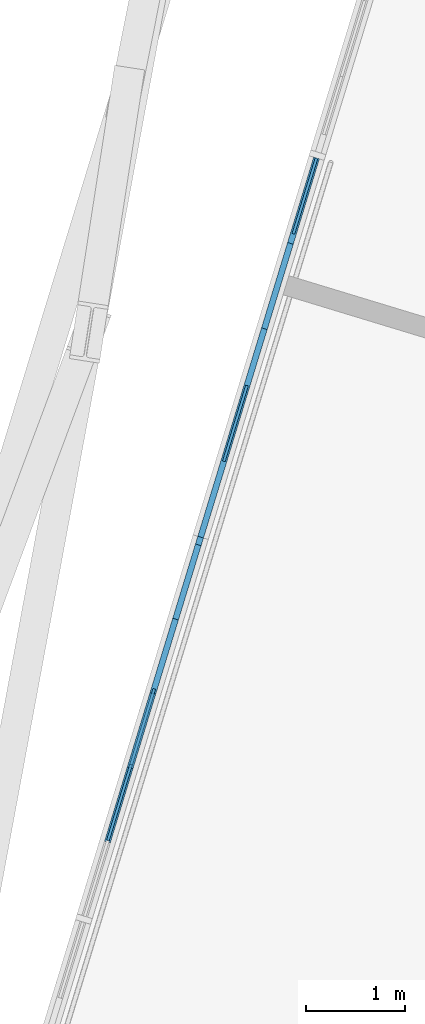
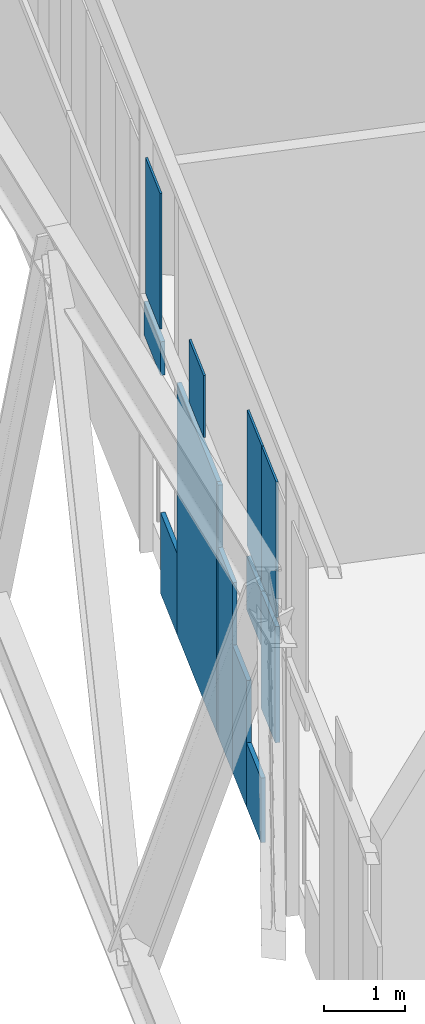
# One storey, part 11 of 25: 13 plates, 1 element without a shape of its own.
"""IFC4 building model written with IfcOpenShell, lengths in metres."""

from ifc_helpers import new_model, si_unit, direction, frame, origin, origin_2d, place, context, subcontext, project, spatial, rectangle, extrude, material, layer, layer_set, type_object, element, aggregate, save


model = new_model("IFC4")

# Units and contexts
model_context = context("Model", 3, precision=1e-05, world=origin(), true_north=direction((0.0, 1.0)))
body_context = subcontext(model_context, "Body", "Model", "MODEL_VIEW")
ifc_project = project(units=[si_unit("LENGTHUNIT", "METRE"), si_unit("AREAUNIT", "SQUARE_METRE"), si_unit("VOLUMEUNIT", "CUBIC_METRE"), si_unit("PLANEANGLEUNIT", "RADIAN"), si_unit("MASSUNIT", "GRAM", prefix="KILO")], contexts=[model_context])

# Site, building, storey
site_placement = place(None, origin())
site = spatial("IfcSite", under=ifc_project, at=site_placement, CompositionType="ELEMENT")
building_placement = place(site_placement, origin())
building = spatial("IfcBuilding", under=site, at=building_placement, Name="Spindle Arch Residences", CompositionType="ELEMENT")
storey_placement = place(building_placement, frame((0.0, 0.0, 144.89990234375)))
storey = spatial("IfcBuildingStorey", under=building, at=storey_placement, Name="L36", CompositionType="ELEMENT", Elevation=144.89990234375)

# Curtain wall, plates
ifc_material_1 = material(Name="Aluminium bronze unitised frame with tinted glass", Category="aluminium")
ifc_layer_1 = layer(ifc_material_1, 0.159912109375)
ifc_layer_set_1 = layer_set([ifc_layer_1], Name="CW-E double-height winter garden wall")
curtain_wall_type = type_object("IfcCurtainWallType", Name="CW-E double-height winter garden wall", PredefinedType="NOTDEFINED", material=ifc_layer_set_1)
curtain_wall_placement = place(storey_placement, origin())
curtain_wall = element("IfcCurtainWall", 1, at=curtain_wall_placement, inside=storey, type_object=curtain_wall_type, Name="CW-E L36 run 4", PredefinedType="NOTDEFINED")
ifc_material_2 = material(Name="Tinted laminated glass 28 mm", Category="glass")
ifc_layer_2 = layer(ifc_material_2, 0.028076171875)
ifc_layer_set_2 = layer_set([ifc_layer_2], Name="Tinted glass panel 28 mm")
plate_type_1 = type_object("IfcPlateType", Name="Tinted glass panel 28 mm", PredefinedType="CURTAIN_PANEL", material=ifc_layer_set_2)
plate_1_placement = place(storey_placement, frame((-17.8759765625, 6.41650390625, 3.460205078125), z_axis=(0.0, 0.0, 1.0), x_axis=(-0.292371704723, -0.956304755963, 0.0)))
plate_1 = element("IfcPlate", 2, at=plate_1_placement, type_object=plate_type_1, Name="CW-E panel 14Ab.1", PredefinedType="CURTAIN_PANEL", context=body_context, shape_type="SweptSolid", body=[
    extrude(rectangle(XDim=0.796875, YDim=0.028076171875, at=origin_2d()), origin(), (0.0, 0.0, 1.0), 2.0458984375),
])
plate_2_placement = place(storey_placement, frame((-18.574951171875, 4.13037109375, 3.4599609375), z_axis=(0.0, 0.0, 1.0), x_axis=(-0.292371704723, -0.956304755963, 0.0)))
plate_2 = element("IfcPlate", 3, at=plate_2_placement, type_object=plate_type_1, Name="CW-E panel 14Ab.2", PredefinedType="CURTAIN_PANEL", context=body_context, shape_type="SweptSolid", body=[
    extrude(rectangle(XDim=0.796875, YDim=0.028076171875, at=origin_2d()), origin(), (0.0, 0.0, 1.0), 0.935302734375),
])
plate_3_placement = place(storey_placement, frame((-19.5068359375, 1.081787109375, 3.460205078125), z_axis=(0.0, 0.0, 1.0), x_axis=(-0.292371704723, -0.956304755963, 0.0)))
plate_3 = element("IfcPlate", 4, at=plate_3_placement, type_object=plate_type_1, Name="CW-E panel 14Bb.1", PredefinedType="CURTAIN_PANEL", context=body_context, shape_type="SweptSolid", body=[
    extrude(rectangle(XDim=0.796875, YDim=0.028076171875, at=origin_2d()), origin(), (0.0, 0.0, 1.0), 2.0458984375),
])
plate_4_placement = place(storey_placement, frame((-19.739990234375, 0.31982421875, 3.460205078125), z_axis=(0.0, 0.0, 1.0), x_axis=(-0.292371704723, -0.956304755963, 0.0)))
plate_4 = element("IfcPlate", 5, at=plate_4_placement, type_object=plate_type_1, Name="CW-E panel 14Bb.2", PredefinedType="CURTAIN_PANEL", context=body_context, shape_type="SweptSolid", body=[
    extrude(rectangle(XDim=0.796875, YDim=0.028076171875, at=origin_2d()), origin(), (0.0, 0.0, 1.0), 2.0458984375),
])
ifc_material_3 = material(Name="Tinted double glazing over aluminium faced non-combustible spandrel zone (K0)", Category="aluminium")
ifc_layer_3 = layer(ifc_material_3, 0.06005859375)
ifc_layer_set_3 = layer_set([ifc_layer_3], Name="Unitised glass panel with E 60 spandrel zone")
plate_type_2 = type_object("IfcPlateType", Name="Unitised glass panel with E 60 spandrel zone", PredefinedType="CURTAIN_PANEL", material=ifc_layer_set_3)
plate_5_placement = place(storey_placement, frame((-17.890625, 6.36865234375, 2.832763671875), z_axis=(0.0, 0.0, 1.0), x_axis=(-0.292371704723, -0.956304755963, 0.0)))
plate_5 = element("IfcPlate", 6, at=plate_5_placement, type_object=plate_type_2, Name="CW-E panel 14Aa.1", PredefinedType="CURTAIN_PANEL", context=body_context, shape_type="SweptSolid", body=[
    extrude(rectangle(XDim=0.897216796875, YDim=0.06005859375, at=origin_2d()), origin(), (0.0, 0.0, 1.0), 0.50732421875),
])
plate_6_placement = place(storey_placement, frame((-18.15283203125, 5.5107421875, -0.44970703125), z_axis=(0.0, 0.0, 1.0), x_axis=(-0.292371704723, -0.956304755963, 0.0)))
plate_6 = element("IfcPlate", 7, at=plate_6_placement, type_object=plate_type_2, Name="CW-E panel 14Aa.2", PredefinedType="CURTAIN_PANEL", context=body_context, shape_type="SweptSolid", body=[
    extrude(rectangle(XDim=0.897216796875, YDim=0.06005859375, at=origin_2d()), origin(), (0.0, 0.0, 1.0), 1.218505859375),
])
plate_7_placement = place(storey_placement, frame((-18.604248046875, 4.034423828125, -0.449951171875), z_axis=(0.0, 0.0, 1.0), x_axis=(-0.292371704723, -0.956304755963, 0.0)))
plate_7 = element("IfcPlate", 8, at=plate_7_placement, type_object=plate_type_2, Name="CW-E panel 14Aa.3", PredefinedType="CURTAIN_PANEL", context=body_context, shape_type="SweptSolid", body=[
    extrude(rectangle(XDim=2.190185546875, YDim=0.06005859375, at=origin_2d()), origin(), (0.0, 0.0, 1.0), 3.7900390625),
])
plate_8_placement = place(storey_placement, frame((-18.936279296875, 2.948486328125, -0.449951171875), z_axis=(0.0, 0.0, 1.0), x_axis=(-0.292371704723, -0.956304755963, 0.0)))
plate_8 = element("IfcPlate", 9, at=plate_8_placement, type_object=plate_type_2, Name="CW-E panel 14Ba.1", PredefinedType="CURTAIN_PANEL", context=body_context, shape_type="SweptSolid", body=[
    extrude(rectangle(XDim=0.080810546875, YDim=0.06005859375, at=origin_2d()), origin(), (0.0, 0.0, 1.0), 3.7900390625),
])
plate_9_placement = place(storey_placement, frame((-19.062255859375, 2.536376953125, -0.449951171875), z_axis=(0.0, 0.0, 1.0), x_axis=(-0.292371704723, -0.956304755963, 0.0)))
plate_9 = element("IfcPlate", 10, at=plate_9_placement, type_object=plate_type_2, Name="CW-E panel 14Ba.2", PredefinedType="CURTAIN_PANEL", context=body_context, shape_type="SweptSolid", body=[
    extrude(rectangle(XDim=0.78076171875, YDim=0.06005859375, at=origin_2d()), origin(), (0.0, 0.0, 1.0), 2.8515625),
])
plate_10_placement = place(storey_placement, frame((-19.29052734375, 1.789794921875, -0.449951171875), z_axis=(0.0, 0.0, 1.0), x_axis=(-0.292371704723, -0.956304755963, 0.0)))
plate_10 = element("IfcPlate", 11, at=plate_10_placement, type_object=plate_type_2, Name="CW-E panel 14Ba.3", PredefinedType="CURTAIN_PANEL", context=body_context, shape_type="SweptSolid", body=[
    extrude(rectangle(XDim=0.78076171875, YDim=0.06005859375, at=origin_2d()), origin(), (0.0, 0.0, 1.0), 1.9130859375),
])
plate_11_placement = place(storey_placement, frame((-19.518798828125, 1.043212890625, -0.44970703125), z_axis=(0.0, 0.0, 1.0), x_axis=(-0.292371704723, -0.956304755963, 0.0)))
plate_11 = element("IfcPlate", 12, at=plate_11_placement, type_object=plate_type_2, Name="CW-E panel 14Ba.4", PredefinedType="CURTAIN_PANEL", context=body_context, shape_type="SweptSolid", body=[
    extrude(rectangle(XDim=0.78076171875, YDim=0.06005859375, at=origin_2d()), origin(), (0.0, 0.0, 1.0), 0.974365234375),
])
plate_12_placement = place(storey_placement, frame((-19.518798828125, 1.043212890625, 2.5263671875), z_axis=(0.0, 0.0, 1.0), x_axis=(-0.292371704723, -0.956304755963, 0.0)))
plate_12 = element("IfcPlate", 13, at=plate_12_placement, type_object=plate_type_2, Name="CW-E panel 14Ba.5", PredefinedType="CURTAIN_PANEL", context=body_context, shape_type="SweptSolid", body=[
    extrude(rectangle(XDim=0.78076171875, YDim=0.06005859375, at=origin_2d()), origin(), (0.0, 0.0, 1.0), 0.813720703125),
])
plate_13_placement = place(storey_placement, frame((-19.7470703125, 0.296630859375, 1.587890625), z_axis=(0.0, 0.0, 1.0), x_axis=(-0.292371704723, -0.956304755963, 0.0)))
plate_13 = element("IfcPlate", 14, at=plate_13_placement, type_object=plate_type_2, Name="CW-E panel 14Ba.6", PredefinedType="CURTAIN_PANEL", context=body_context, shape_type="SweptSolid", body=[
    extrude(rectangle(XDim=0.78076171875, YDim=0.06005859375, at=origin_2d()), origin(), (0.0, 0.0, 1.0), 1.752197265625),
])
aggregate(curtain_wall, [plate_5, plate_6, plate_7, plate_1, plate_2, plate_8, plate_9, plate_10, plate_11, plate_12, plate_13, plate_3, plate_4])

save(model, "model.ifc")
